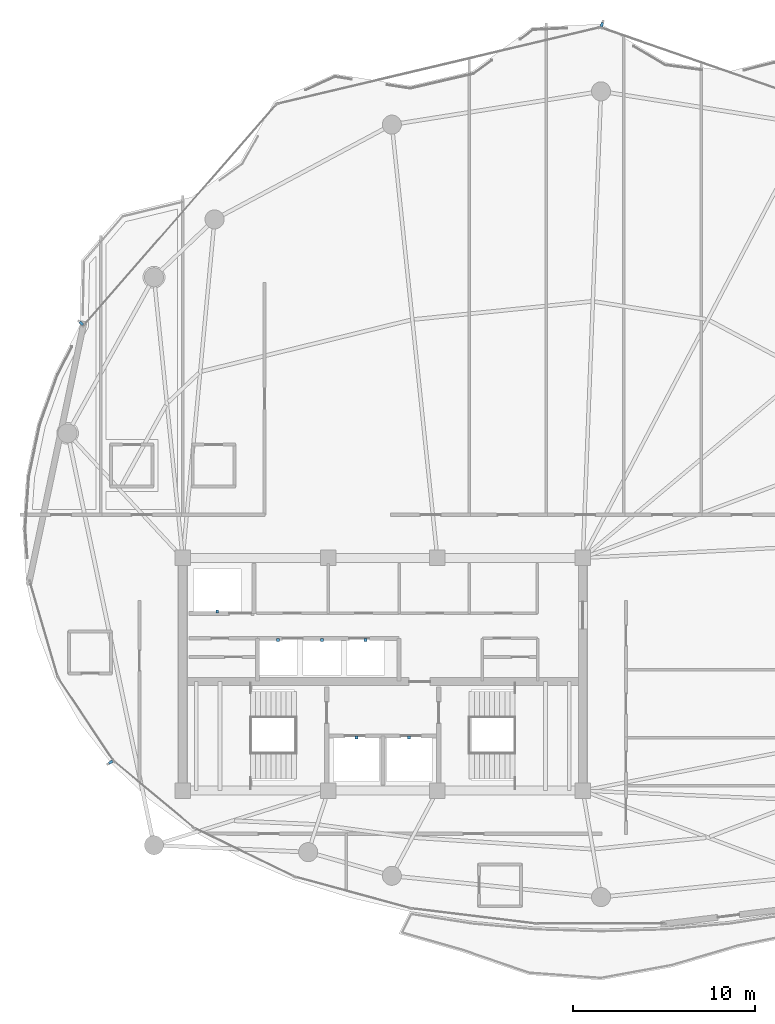
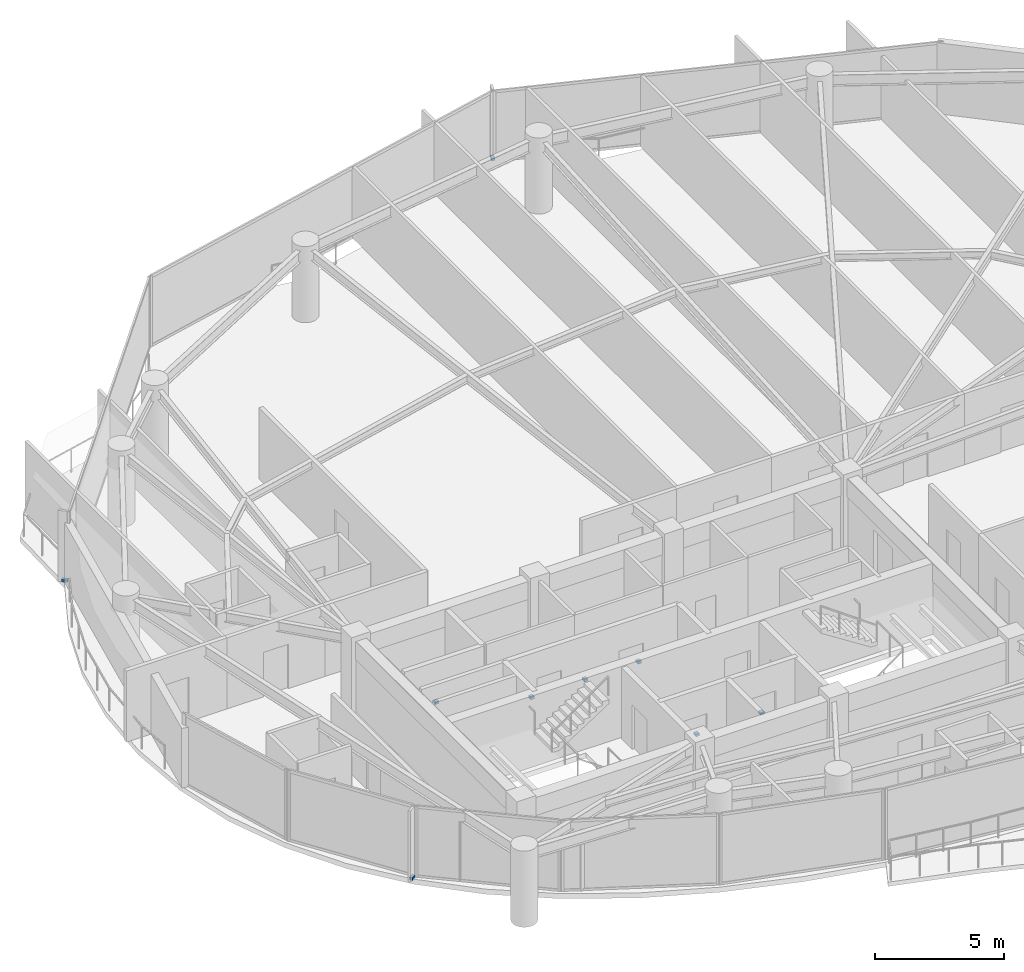
# One storey, part 26 of 29: 9 discrete accessories.
"""IFC4 building model written with IfcOpenShell, lengths in metres."""

from ifc_helpers import new_model, si_unit, direction, frame, origin, origin_2d, place, context, subcontext, project, spatial, rectangle, extrude, material, type_object, element, save


model = new_model("IFC4")

# Units and contexts
model_context = context("Model", 3, precision=1e-05, world=origin(), true_north=direction((0.0, 1.0)))
body_context = subcontext(model_context, "Body", "Model", "MODEL_VIEW")
ifc_project = project(units=[si_unit("LENGTHUNIT", "METRE"), si_unit("AREAUNIT", "SQUARE_METRE"), si_unit("VOLUMEUNIT", "CUBIC_METRE"), si_unit("PLANEANGLEUNIT", "RADIAN"), si_unit("MASSUNIT", "GRAM", prefix="KILO")], contexts=[model_context])

# Site, building, storey
site_placement = place(None, origin())
site = spatial("IfcSite", under=ifc_project, at=site_placement, CompositionType="ELEMENT")
building_placement = place(site_placement, origin())
building = spatial("IfcBuilding", under=site, at=building_placement, Name="Kazevale Care Tower and Concert Hall", CompositionType="ELEMENT")
storey_placement = place(building_placement, frame((0.0, 0.0, 224.39990234375)))
storey = spatial("IfcBuildingStorey", under=building, at=storey_placement, Name="L59", CompositionType="ELEMENT", Elevation=224.39990234375)

# Discrete accessories
ifc_material = material(Name="Stainless Steel 316", Category="steel")
discrete_accessory_type_1 = type_object("IfcDiscreteAccessoryType", Name="Facade Fin Stainless Anchor Bracket BRK-1", PredefinedType="BRACKET", material=ifc_material)
for number, where, z_axis, x_axis, name in (
    (1, (18.04443359375, 25.1689453125, 0.0), (0.0, 0.0, 1.0), (-0.832147748683, -0.554553986878, 0.0), "cw:L59:f11:brk"),
    (2, (16.42626953125, 49.291015625, 0.0), (0.0, 0.0, 1.0), (-0.753792813636, 0.657112162503, 0.0), "cw:L59:f14:brk"),
    (3, (45.047607421875, 65.71533203125, 0.0), (0.0, 0.0, 1.0), (0.328536977169, 0.944491108816, 0.0), "cw:L59:f16:brk"),
):
    element("IfcDiscreteAccessory", number, at=place(storey_placement, frame(where, z_axis=z_axis, x_axis=x_axis)), inside=storey, type_object=discrete_accessory_type_1, Name=name, PredefinedType="BRACKET", context=body_context, shape_type="SweptSolid", body=[
        extrude(rectangle(XDim=0.239990234375, YDim=0.139892578125, at=origin_2d()), origin(), (0.0, 0.0, 1.0), 0.1201171875),
    ])
discrete_accessory_type_2 = type_object("IfcDiscreteAccessoryType", Name="Hoistway Guide-Rail Wall Bracket HBRK-1", PredefinedType="BRACKET", material=ifc_material)
for number, where, z_axis, x_axis, name in (
    (4, (31.550048828125, 26.52001953125, 1.239990234375), (0.0, 0.0, 1.0), (1.0, 0.0, 0.0), "hbrk:FFL-1:L59"),
    (5, (34.449951171875, 26.52001953125, 1.239990234375), (0.0, 0.0, 1.0), (1.0, 0.0, 0.0), "hbrk:FFL-2:L59"),
    (6, (23.89990234375, 33.449951171875, 1.239990234375), (0.0, 0.0, 1.0), (1.0, 0.0, 0.0), "hbrk:SVL-1:L59"),
    (7, (27.25, 31.8798828125, 1.239990234375), (0.0, 0.0, 1.0), (1.0, 0.0, 0.0), "hbrk:PH-1:L59"),
    (8, (29.64990234375, 31.8798828125, 1.239990234375), (0.0, 0.0, 1.0), (1.0, 0.0, 0.0), "hbrk:PH-2:L59"),
    (9, (32.050048828125, 31.8798828125, 1.239990234375), (0.0, 0.0, 1.0), (1.0, 0.0, 0.0), "hbrk:PH-3:L59"),
):
    element("IfcDiscreteAccessory", number, at=place(storey_placement, frame(where, z_axis=z_axis, x_axis=x_axis)), inside=storey, type_object=discrete_accessory_type_2, Name=name, PredefinedType="BRACKET", context=body_context, shape_type="SweptSolid", body=[
        extrude(rectangle(XDim=0.159912109375, YDim=0.179931640625, at=origin_2d()), origin(), (0.0, 0.0, 1.0), 0.1201171875),
    ])

save(model, "model.ifc")
